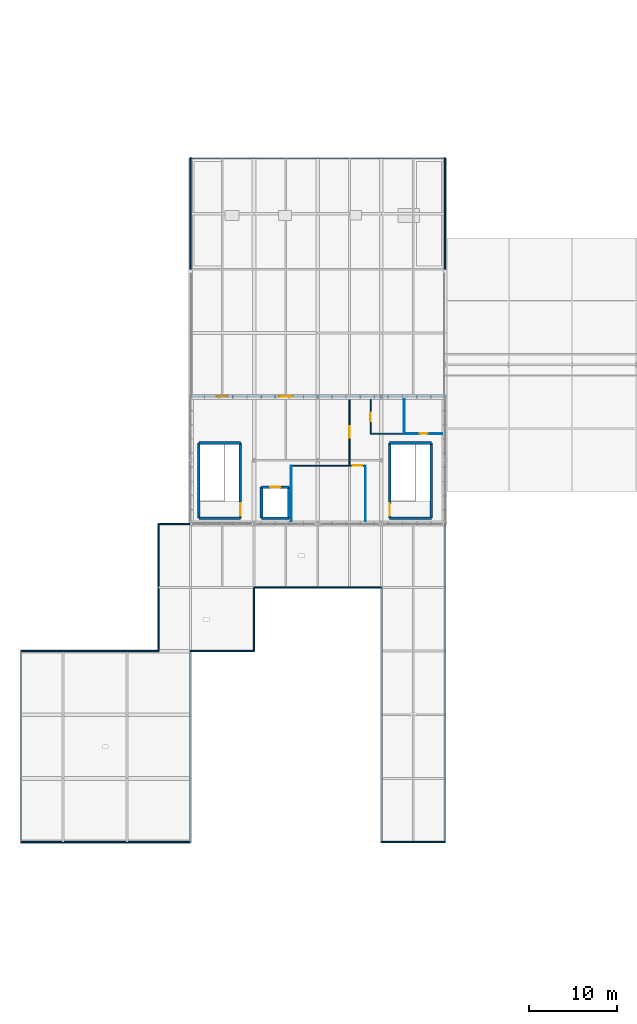
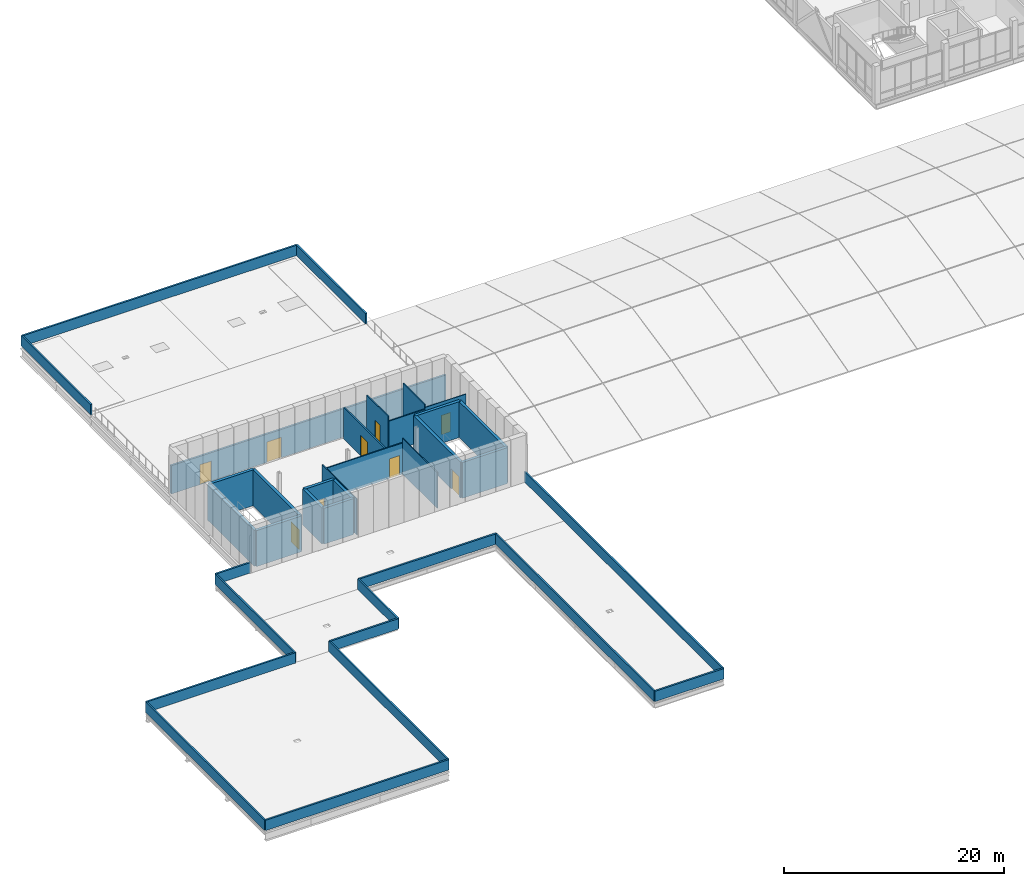
# One storey, part 38 of 47: 36 walls, 9 doors, 9 openings.
"""IFC4 building model written with IfcOpenShell, lengths in metres."""

from ifc_helpers import new_model, si_unit, direction, frame, frame_2d, origin, place, context, subcontext, project, spatial, rectangle, extrude, material, layer, layer_set, type_object, element, fill, save


model = new_model("IFC4")

# Units and contexts
model_context = context("Model", 3, precision=1e-05, world=origin(), true_north=direction((0.0, 1.0)))
body_context = subcontext(model_context, "Body", "Model", "MODEL_VIEW")
ifc_project = project(units=[si_unit("LENGTHUNIT", "METRE"), si_unit("AREAUNIT", "SQUARE_METRE"), si_unit("VOLUMEUNIT", "CUBIC_METRE"), si_unit("PLANEANGLEUNIT", "RADIAN"), si_unit("MASSUNIT", "GRAM", prefix="KILO")], contexts=[model_context])

# Site, building, storey
site_placement = place(None, origin())
site = spatial("IfcSite", under=ifc_project, at=site_placement, CompositionType="ELEMENT")
building_placement = place(site_placement, origin())
building = spatial("IfcBuilding", under=site, at=building_placement, Name="Yarey Park Central Fire Station", CompositionType="ELEMENT")
storey_placement = place(building_placement, frame((0.0, 0.0, 18.0)))
storey = spatial("IfcBuildingStorey", under=building, at=storey_placement, Name="L05", CompositionType="ELEMENT", Elevation=18.0)

# Wall, openings, doors
ifc_material_1 = material(Name="Concrete C35/45", Category="concrete")
ifc_layer_1 = layer(ifc_material_1, 0.205078125)
ifc_layer_set_1 = layer_set([ifc_layer_1], Name="Concrete C35/45")
wall_type_1 = type_object("IfcWallType", Name="ENV_WALL_INS205", PredefinedType="STANDARD", material=ifc_layer_set_1)
wall_1_placement = place(storey_placement, frame((57.60009765625, 72.0, 0.0), z_axis=(0.0, 0.0, 1.0), x_axis=(-1.0, 0.0, 0.0)))
wall_1 = element("IfcWall", 1, at=wall_1_placement, inside=storey, type_object=wall_type_1, Name="EW_L05_V3_N", PredefinedType="STANDARD", context=body_context, shape_type="SweptSolid", body=[
    extrude(rectangle(XDim=28.800048828125, YDim=0.205078125, at=frame_2d((14.39990234375, 0.0))), origin(), (0.0, 0.0, 1.0), 3.138916015625),
])
opening_1_placement = place(wall_1_placement, frame((17.239990234375, 0.0, 0.0)))
opening_1 = element("IfcOpeningElement", 2, at=opening_1_placement, cuts=wall_1, Name="Opening TD-152", PredefinedType="OPENING", context=body_context, shape_type="SweptSolid", body=[
    extrude(rectangle(XDim=1.52001953125, YDim=2.260009765625, at=frame_2d((0.760009765625, 1.1298828125))), frame((0.0, 0.112548828125, 0.0), z_axis=(0.0, -1.0, 0.0), x_axis=(1.0, 0.0, 0.0)), (0.0, 0.0, 1.0), 0.22509765625),
])
opening_2_placement = place(wall_1_placement, frame((24.580078125, 0.0, 0.0)))
opening_2 = element("IfcOpeningElement", 3, at=opening_2_placement, cuts=wall_1, Name="Opening TD-124", PredefinedType="OPENING", context=body_context, shape_type="SweptSolid", body=[
    extrude(rectangle(XDim=1.239990234375, YDim=2.199951171875, at=frame_2d((0.6201171875, 1.10009765625))), frame((0.0, 0.112548828125, 0.0), z_axis=(0.0, -1.0, 0.0), x_axis=(1.0, 0.0, 0.0)), (0.0, 0.0, 1.0), 0.22509765625),
])
ifc_material_2 = material(Name="Anodized Aluminium Frame", Category="aluminium")
door_type_1 = type_object("IfcDoorType", Name="ENV_DOOR_TER1240", OperationType="NOTDEFINED", PredefinedType="DOOR", material=ifc_material_2)
door_1_placement = place(opening_2_placement, origin())
door_1 = element("IfcDoor", 4, at=door_1_placement, inside=storey, type_object=door_type_1, Name="DOOR_L05_ROOFGARDEN_2", OperationType="SINGLE_SWING_LEFT", OverallHeight=2.199951171875, OverallWidth=1.239990234375, PredefinedType="DOOR", context=body_context, shape_type="SweptSolid", body=[
    extrude(rectangle(XDim=1.239990234375, YDim=2.199951171875, at=frame_2d((0.6201171875, 1.10009765625))), frame((0.0, 0.02490234375, 0.0), z_axis=(0.0, -1.0, 0.0), x_axis=(1.0, 0.0, 0.0)), (0.0, 0.0, 1.0), 0.050048828125),
])
fill(opening_2, door_1)
door_type_2 = type_object("IfcDoorType", Name="ENV_DOOR_TER1520", OperationType="NOTDEFINED", PredefinedType="DOOR", material=ifc_material_2)
door_2_placement = place(opening_1_placement, origin())
door_2 = element("IfcDoor", 5, at=door_2_placement, inside=storey, type_object=door_type_2, Name="DOOR_L05_ROOFGARDEN_1", OperationType="SINGLE_SWING_RIGHT", OverallHeight=2.260009765625, OverallWidth=1.52001953125, PredefinedType="DOOR", context=body_context, shape_type="SweptSolid", body=[
    extrude(rectangle(XDim=1.52001953125, YDim=2.260009765625, at=frame_2d((0.760009765625, 1.1298828125))), frame((0.0, 0.02490234375, 0.0), z_axis=(0.0, -1.0, 0.0), x_axis=(1.0, 0.0, 0.0)), (0.0, 0.0, 1.0), 0.050048828125),
])
fill(opening_1, door_2)

# Walls
ifc_layer_2 = layer(ifc_material_1, 0.1650390625)
ifc_layer_set_2 = layer_set([ifc_layer_2], Name="Concrete C35/45")
wall_type_2 = type_object("IfcWallType", Name="ENV_WALL_PAR165", PredefinedType="PARAPET", material=ifc_layer_set_2)
for number, where, z_axis, x_axis, name in (
    (6, (9.60009765625, 43.199951171875, 0.0), (0.0, 0.0, 1.0), (0.0, -1.0, 0.0), "PAR_L05_12"),
    (7, (28.800048828125, 21.60009765625, 0.0), (0.0, 0.0, 1.0), (0.0, 1.0, 0.0), "PAR_L05_14"),
):
    element("IfcWall", number, at=place(storey_placement, frame(where, z_axis=z_axis, x_axis=x_axis)), inside=storey, type_object=wall_type_2, Name=name, PredefinedType="PARAPET", context=body_context, shape_type="SweptSolid", body=[
        extrude(rectangle(XDim=21.599853515625, YDim=0.1650390625, at=frame_2d((10.7998046875, 0.0))), origin(), (0.0, 0.0, 1.0), 1.14990234375),
    ])
wall_2_placement = place(storey_placement, frame((36.0, 50.39990234375, 0.0), z_axis=(0.0, 0.0, 1.0), x_axis=(0.0, -1.0, 0.0)))
element("IfcWall", 8, at=wall_2_placement, inside=storey, type_object=wall_type_2, Name="PAR_L05_16", PredefinedType="PARAPET", context=body_context, shape_type="SweptSolid", body=[
    extrude(rectangle(XDim=7.199951171875, YDim=0.1650390625, at=frame_2d((3.60009765625, 0.0))), origin(), (0.0, 0.0, 1.0), 1.14990234375),
])
wall_3_placement = place(storey_placement, frame((50.39990234375, 50.39990234375, 0.0), z_axis=(0.0, 0.0, 1.0), x_axis=(0.0, -1.0, 0.0)))
element("IfcWall", 9, at=wall_3_placement, inside=storey, type_object=wall_type_2, Name="PAR_L05_18", PredefinedType="PARAPET", context=body_context, shape_type="SweptSolid", body=[
    extrude(rectangle(XDim=28.7998046875, YDim=0.1650390625, at=frame_2d((14.39990234375, 0.0))), origin(), (0.0, 0.0, 1.0), 1.14990234375),
])
wall_4_placement = place(storey_placement, frame((25.199951171875, 57.60009765625, 0.0), z_axis=(0.0, 0.0, 1.0), x_axis=(0.0, -1.0, 0.0)))
element("IfcWall", 10, at=wall_4_placement, inside=storey, type_object=wall_type_2, Name="PAR_L05_20", PredefinedType="PARAPET", context=body_context, shape_type="SweptSolid", body=[
    extrude(rectangle(XDim=14.400146484375, YDim=0.1650390625, at=frame_2d((7.2001953125, 0.0))), origin(), (0.0, 0.0, 1.0), 1.14990234375),
])
wall_5_placement = place(storey_placement, frame((57.60009765625, 21.60009765625, 0.0), z_axis=(0.0, 0.0, 1.0), x_axis=(0.0, 1.0, 0.0)))
element("IfcWall", 11, at=wall_5_placement, inside=storey, type_object=wall_type_2, Name="PAR_L05_22", PredefinedType="PARAPET", context=body_context, shape_type="SweptSolid", body=[
    extrude(rectangle(XDim=36.0, YDim=0.1650390625, at=frame_2d((18.0, 0.0))), origin(), (0.0, 0.0, 1.0), 1.14990234375),
])
wall_6_placement = place(storey_placement, frame((28.800048828125, 86.39990234375, 0.0), z_axis=(0.0, 0.0, 1.0), x_axis=(0.0, 1.0, 0.0)))
element("IfcWall", 12, at=wall_6_placement, inside=storey, type_object=wall_type_2, Name="PAR_L05_24", PredefinedType="PARAPET", context=body_context, shape_type="SweptSolid", body=[
    extrude(rectangle(XDim=12.60009765625, YDim=0.1650390625, at=frame_2d((6.300048828125, 0.0))), origin(), (0.0, 0.0, 1.0), 1.14990234375),
])
ifc_layer_3 = layer(ifc_material_1, 0.18505859375)
ifc_layer_set_3 = layer_set([ifc_layer_3], Name="Concrete C35/45")
wall_type_3 = type_object("IfcWallType", Name="ENV_WALL_PAR185", PredefinedType="PARAPET", material=ifc_layer_set_3)
wall_7_placement = place(storey_placement, frame((9.60009765625, 21.60009765625, 0.0), z_axis=(0.0, 0.0, 1.0), x_axis=(1.0, 0.0, 0.0)))
element("IfcWall", 13, at=wall_7_placement, inside=storey, type_object=wall_type_3, Name="PAR_L05_11", PredefinedType="PARAPET", context=body_context, shape_type="SweptSolid", body=[
    extrude(rectangle(XDim=19.199951171875, YDim=0.18505859375, at=frame_2d((9.60009765625, 0.0))), origin(), (0.0, 0.0, 1.0), 1.14990234375),
])
wall_8_placement = place(storey_placement, frame((25.199951171875, 43.199951171875, 0.0), z_axis=(0.0, 0.0, 1.0), x_axis=(-1.0, 0.0, 0.0)))
element("IfcWall", 14, at=wall_8_placement, inside=storey, type_object=wall_type_3, Name="PAR_L05_13", PredefinedType="PARAPET", context=body_context, shape_type="SweptSolid", body=[
    extrude(rectangle(XDim=15.599853515625, YDim=0.18505859375, at=frame_2d((7.7998046875, 0.0))), origin(), (0.0, 0.0, 1.0), 1.14990234375),
])
wall_9_placement = place(storey_placement, frame((36.0, 43.199951171875, 0.0), z_axis=(0.0, 0.0, 1.0), x_axis=(-1.0, 0.0, 0.0)))
element("IfcWall", 15, at=wall_9_placement, inside=storey, type_object=wall_type_3, Name="PAR_L05_15", PredefinedType="PARAPET", context=body_context, shape_type="SweptSolid", body=[
    extrude(rectangle(XDim=7.199951171875, YDim=0.18505859375, at=frame_2d((3.60009765625, 0.0))), origin(), (0.0, 0.0, 1.0), 1.14990234375),
])
wall_10_placement = place(storey_placement, frame((50.39990234375, 21.60009765625, 0.0), z_axis=(0.0, 0.0, 1.0), x_axis=(1.0, 0.0, 0.0)))
element("IfcWall", 16, at=wall_10_placement, inside=storey, type_object=wall_type_3, Name="PAR_L05_17", PredefinedType="PARAPET", context=body_context, shape_type="SweptSolid", body=[
    extrude(rectangle(XDim=7.2001953125, YDim=0.18505859375, at=frame_2d((3.60009765625, 0.0))), origin(), (0.0, 0.0, 1.0), 1.14990234375),
])
wall_11_placement = place(storey_placement, frame((36.0, 50.39990234375, 0.0), z_axis=(0.0, 0.0, 1.0), x_axis=(1.0, 0.0, 0.0)))
element("IfcWall", 17, at=wall_11_placement, inside=storey, type_object=wall_type_3, Name="PAR_L05_19", PredefinedType="PARAPET", context=body_context, shape_type="SweptSolid", body=[
    extrude(rectangle(XDim=14.39990234375, YDim=0.18505859375, at=frame_2d((7.199951171875, 0.0))), origin(), (0.0, 0.0, 1.0), 1.14990234375),
])
wall_12_placement = place(storey_placement, frame((28.800048828125, 57.60009765625, 0.0), z_axis=(0.0, 0.0, 1.0), x_axis=(-1.0, 0.0, 0.0)))
element("IfcWall", 18, at=wall_12_placement, inside=storey, type_object=wall_type_3, Name="PAR_L05_21", PredefinedType="PARAPET", context=body_context, shape_type="SweptSolid", body=[
    extrude(rectangle(XDim=3.60009765625, YDim=0.18505859375, at=frame_2d((1.800048828125, 0.0))), origin(), (0.0, 0.0, 1.0), 1.14990234375),
])
wall_13_placement = place(storey_placement, frame((28.800048828125, 99.0, 0.0), z_axis=(0.0, 0.0, 1.0), x_axis=(1.0, 0.0, 0.0)))
element("IfcWall", 19, at=wall_13_placement, inside=storey, type_object=wall_type_3, Name="PAR_L05_23", PredefinedType="PARAPET", context=body_context, shape_type="SweptSolid", body=[
    extrude(rectangle(XDim=28.800048828125, YDim=0.18505859375, at=frame_2d((14.39990234375, 0.0))), origin(), (0.0, 0.0, 1.0), 1.14990234375),
])
wall_14_placement = place(storey_placement, frame((57.60009765625, 99.0, 0.0), z_axis=(0.0, 0.0, 1.0), x_axis=(0.0, -1.0, 0.0)))
element("IfcWall", 20, at=wall_14_placement, inside=storey, type_object=wall_type_3, Name="PAR_L05_25", PredefinedType="PARAPET", context=body_context, shape_type="SweptSolid", body=[
    extrude(rectangle(XDim=12.60009765625, YDim=0.18505859375, at=frame_2d((6.300048828125, 0.0))), origin(), (0.0, 0.0, 1.0), 1.14990234375),
])
ifc_material_3 = material(Name="Concrete C40/50", Category="concrete")
ifc_layer_4 = layer(ifc_material_3, 0.27001953125)
ifc_layer_set_4 = layer_set([ifc_layer_4], Name="Concrete C40/50")
wall_type_4 = type_object("IfcWallType", Name="INT_CORE_RC270", PredefinedType="SHEAR", material=ifc_layer_set_4)
wall_15_placement = place(storey_placement, frame((36.85009765625, 58.25, 0.0), z_axis=(0.0, 0.0, 1.0), x_axis=(1.0, 0.0, 0.0)))
element("IfcWall", 21, at=wall_15_placement, inside=storey, type_object=wall_type_4, Name="LWALL_C3_L05_S", PredefinedType="SHEAR", context=body_context, shape_type="SweptSolid", body=[
    extrude(rectangle(XDim=3.099853515625, YDim=0.300048828125, at=frame_2d((1.5498046875, 0.0))), origin(), (0.0, 0.0, 1.0), 3.97509765625),
])

# Wall, opening, door
wall_16_placement = place(storey_placement, frame((39.949951171875, 61.75, 0.0), z_axis=(0.0, 0.0, 1.0), x_axis=(-1.0, 0.0, 0.0)))
wall_16 = element("IfcWall", 22, at=wall_16_placement, inside=storey, type_object=wall_type_4, Name="LWALL_C3_L05_N", PredefinedType="SHEAR", context=body_context, shape_type="SweptSolid", body=[
    extrude(rectangle(XDim=3.099853515625, YDim=0.300048828125, at=frame_2d((1.5498046875, 0.0))), origin(), (0.0, 0.0, 1.0), 3.97509765625),
])
opening_3_placement = place(wall_16_placement, frame((1.0, 0.0, 0.0)))
opening_3 = element("IfcOpeningElement", 23, at=opening_3_placement, cuts=wall_16, Name="Opening LD-11", PredefinedType="OPENING", context=body_context, shape_type="SweptSolid", body=[
    extrude(rectangle(XDim=1.10009765625, YDim=2.219970703125, at=frame_2d((0.550048828125, 1.10986328125))), frame((0.0, 0.159912109375, 0.0), z_axis=(0.0, -1.0, 0.0), x_axis=(1.0, 0.0, 0.0)), (0.0, 0.0, 1.0), 0.320068359375),
])
ifc_material_4 = material(Name="Stainless Steel AISI 316L", Category="steel")
door_type_3 = type_object("IfcDoorType", Name="DR_LD_1100", OperationType="NOTDEFINED", PredefinedType="DOOR", material=ifc_material_4)
door_3_placement = place(opening_3_placement, origin())
door_3 = element("IfcDoor", 24, at=door_3_placement, inside=storey, type_object=door_type_3, Name="Lift Landing Door LF-3-L05", OperationType="SLIDING_TO_LEFT", OverallHeight=2.219970703125, OverallWidth=1.10009765625, PredefinedType="DOOR", context=body_context, shape_type="SweptSolid", body=[
    extrude(rectangle(XDim=1.10009765625, YDim=2.219970703125, at=frame_2d((0.550048828125, 1.10986328125))), frame((0.0, 0.02490234375, 0.0), z_axis=(0.0, -1.0, 0.0), x_axis=(1.0, 0.0, 0.0)), (0.0, 0.0, 1.0), 0.050048828125),
])
fill(opening_3, door_3)

# Walls
for number, where, z_axis, x_axis, name in (
    (25, (36.85009765625, 61.75, 0.0), (0.0, 0.0, 1.0), (0.0, -1.0, 0.0), "LWALL_C3_L05_W"),
    (26, (39.949951171875, 58.25, 0.0), (0.0, 0.0, 1.0), (0.0, 1.0, 0.0), "LWALL_C3_L05_E"),
):
    element("IfcWall", number, at=place(storey_placement, frame(where, z_axis=z_axis, x_axis=x_axis)), inside=storey, type_object=wall_type_4, Name=name, PredefinedType="SHEAR", context=body_context, shape_type="SweptSolid", body=[
        extrude(rectangle(XDim=3.5, YDim=0.300048828125, at=frame_2d((1.75, 0.0))), origin(), (0.0, 0.0, 1.0), 3.97509765625),
    ])
ifc_layer_5 = layer(ifc_material_3, 0.300048828125)
ifc_layer_set_5 = layer_set([ifc_layer_5], Name="Concrete C40/50")
wall_type_5 = type_object("IfcWallType", Name="INT_CORE_RC300", PredefinedType="SHEAR", material=ifc_layer_set_5)
for number, where, z_axis, x_axis, name in (
    (27, (29.75, 58.25, 0.0), (0.0, 0.0, 1.0), (1.0, 0.0, 0.0), "CWALL_C3_L05_S"),
    (28, (34.449951171875, 66.75, 0.0), (0.0, 0.0, 1.0), (-1.0, 0.0, 0.0), "CWALL_C3_L05_N"),
):
    element("IfcWall", number, at=place(storey_placement, frame(where, z_axis=z_axis, x_axis=x_axis)), inside=storey, type_object=wall_type_5, Name=name, PredefinedType="SHEAR", context=body_context, shape_type="SweptSolid", body=[
        extrude(rectangle(XDim=4.699951171875, YDim=0.300048828125, at=frame_2d((2.35009765625, 0.0))), origin(), (0.0, 0.0, 1.0), 3.97509765625),
    ])
wall_17_placement = place(storey_placement, frame((29.75, 66.75, 0.0), z_axis=(0.0, 0.0, 1.0), x_axis=(0.0, -1.0, 0.0)))
element("IfcWall", 29, at=wall_17_placement, inside=storey, type_object=wall_type_5, Name="CWALL_C3_L05_W", PredefinedType="SHEAR", context=body_context, shape_type="SweptSolid", body=[
    extrude(rectangle(XDim=8.5, YDim=0.300048828125, at=frame_2d((4.25, 0.0))), origin(), (0.0, 0.0, 1.0), 3.97509765625),
])

# Wall, opening, door
wall_18_placement = place(storey_placement, frame((34.449951171875, 58.25, 0.0), z_axis=(0.0, 0.0, 1.0), x_axis=(0.0, 1.0, 0.0)))
wall_18 = element("IfcWall", 30, at=wall_18_placement, inside=storey, type_object=wall_type_5, Name="CWALL_C3_L05_E", PredefinedType="SHEAR", context=body_context, shape_type="SweptSolid", body=[
    extrude(rectangle(XDim=8.5, YDim=0.300048828125, at=frame_2d((4.25, 0.0))), origin(), (0.0, 0.0, 1.0), 3.97509765625),
])
opening_4_placement = place(wall_18_placement, frame((0.25, 0.0, 0.0)))
opening_4 = element("IfcOpeningElement", 31, at=opening_4_placement, cuts=wall_18, Name="Opening SD-146", PredefinedType="OPENING", context=body_context, shape_type="SweptSolid", body=[
    extrude(rectangle(XDim=1.4599609375, YDim=2.239990234375, at=frame_2d((0.72998046875, 1.1201171875))), frame((0.0, 0.159912109375, 0.0), z_axis=(0.0, -1.0, 0.0), x_axis=(1.0, 0.0, 0.0)), (0.0, 0.0, 1.0), 0.320068359375),
])
ifc_material_5 = material(Name="Galvanized Hollow Metal Door", Category="metal")
door_type_4 = type_object("IfcDoorType", Name="DR_STAIR_1460", OperationType="NOTDEFINED", PredefinedType="DOOR", material=ifc_material_5)
door_4_placement = place(opening_4_placement, origin())
door_4 = element("IfcDoor", 32, at=door_4_placement, inside=storey, type_object=door_type_4, Name="DOOR_STAIR_C3_L05", OperationType="SINGLE_SWING_LEFT", OverallHeight=2.239990234375, OverallWidth=1.4599609375, PredefinedType="DOOR", context=body_context, shape_type="SweptSolid", body=[
    extrude(rectangle(XDim=1.4599609375, YDim=2.239990234375, at=frame_2d((0.72998046875, 1.1201171875))), frame((0.0, 0.02490234375, 0.0), z_axis=(0.0, -1.0, 0.0), x_axis=(1.0, 0.0, 0.0)), (0.0, 0.0, 1.0), 0.050048828125),
])
fill(opening_4, door_4)

# Walls
for number, where, z_axis, x_axis, name in (
    (33, (51.35009765625, 58.25, 0.0), (0.0, 0.0, 1.0), (1.0, 0.0, 0.0), "CWALL_C4_L05_S"),
    (34, (56.050048828125, 66.75, 0.0), (0.0, 0.0, 1.0), (-1.0, 0.0, 0.0), "CWALL_C4_L05_N"),
):
    element("IfcWall", number, at=place(storey_placement, frame(where, z_axis=z_axis, x_axis=x_axis)), inside=storey, type_object=wall_type_5, Name=name, PredefinedType="SHEAR", context=body_context, shape_type="SweptSolid", body=[
        extrude(rectangle(XDim=4.699951171875, YDim=0.300048828125, at=frame_2d((2.35009765625, 0.0))), origin(), (0.0, 0.0, 1.0), 3.97509765625),
    ])

# Wall, opening, door
wall_19_placement = place(storey_placement, frame((51.35009765625, 66.75, 0.0), z_axis=(0.0, 0.0, 1.0), x_axis=(0.0, -1.0, 0.0)))
wall_19 = element("IfcWall", 35, at=wall_19_placement, inside=storey, type_object=wall_type_5, Name="CWALL_C4_L05_W", PredefinedType="SHEAR", context=body_context, shape_type="SweptSolid", body=[
    extrude(rectangle(XDim=8.5, YDim=0.300048828125, at=frame_2d((4.25, 0.0))), origin(), (0.0, 0.0, 1.0), 3.97509765625),
])
opening_5_placement = place(wall_19_placement, frame((6.830078125, 0.0, 0.0)))
opening_5 = element("IfcOpeningElement", 36, at=opening_5_placement, cuts=wall_19, Name="Opening SD-142", PredefinedType="OPENING", context=body_context, shape_type="SweptSolid", body=[
    extrude(rectangle(XDim=1.419921875, YDim=2.219970703125, at=frame_2d((0.7099609375, 1.10986328125))), frame((0.0, 0.159912109375, 0.0), z_axis=(0.0, -1.0, 0.0), x_axis=(1.0, 0.0, 0.0)), (0.0, 0.0, 1.0), 0.320068359375),
])
door_type_5 = type_object("IfcDoorType", Name="DR_STAIR_1420", OperationType="NOTDEFINED", PredefinedType="DOOR", material=ifc_material_5)
door_5_placement = place(opening_5_placement, origin())
door_5 = element("IfcDoor", 37, at=door_5_placement, inside=storey, type_object=door_type_5, Name="DOOR_STAIR_C4_L05", OperationType="SINGLE_SWING_RIGHT", OverallHeight=2.219970703125, OverallWidth=1.419921875, PredefinedType="DOOR", context=body_context, shape_type="SweptSolid", body=[
    extrude(rectangle(XDim=1.419921875, YDim=2.219970703125, at=frame_2d((0.7099609375, 1.10986328125))), frame((0.0, 0.02490234375, 0.0), z_axis=(0.0, -1.0, 0.0), x_axis=(1.0, 0.0, 0.0)), (0.0, 0.0, 1.0), 0.050048828125),
])
fill(opening_5, door_5)

# Wall
wall_20_placement = place(storey_placement, frame((56.050048828125, 58.25, 0.0), z_axis=(0.0, 0.0, 1.0), x_axis=(0.0, 1.0, 0.0)))
element("IfcWall", 38, at=wall_20_placement, inside=storey, type_object=wall_type_5, Name="CWALL_C4_L05_E", PredefinedType="SHEAR", context=body_context, shape_type="SweptSolid", body=[
    extrude(rectangle(XDim=8.5, YDim=0.300048828125, at=frame_2d((4.25, 0.0))), origin(), (0.0, 0.0, 1.0), 3.97509765625),
])

# Wall, opening, door
ifc_material_6 = material(Name="Gypsum Shaftliner Assembly", Category="gypsum")
ifc_layer_6 = layer(ifc_material_6, 0.14990234375)
ifc_layer_set_6 = layer_set([ifc_layer_6], Name="Gypsum Shaftliner Assembly")
wall_type_6 = type_object("IfcWallType", Name="INT_WALL_AC150", PredefinedType="STANDARD", material=ifc_layer_set_6)
wall_21_placement = place(storey_placement, frame((46.800048828125, 64.199951171875, 0.0), z_axis=(0.0, 0.0, 1.0), x_axis=(0.0, 1.0, 0.0)))
wall_21 = element("IfcWall", 39, at=wall_21_placement, inside=storey, type_object=wall_type_6, Name="PART_SPC_L05_LOUNGE_EAST", PredefinedType="STANDARD", context=body_context, shape_type="SweptSolid", body=[
    extrude(rectangle(XDim=7.5, YDim=0.14990234375, at=frame_2d((3.75, 0.0))), origin(), (0.0, 0.0, 1.0), 3.45703125),
])
opening_6_placement = place(wall_21_placement, frame((3.169921875, 0.0, 0.0)))
opening_6 = element("IfcOpeningElement", 40, at=opening_6_placement, cuts=wall_21, Name="Opening ID-126", PredefinedType="OPENING", context=body_context, shape_type="SweptSolid", body=[
    extrude(rectangle(XDim=1.260009765625, YDim=2.239990234375, at=frame_2d((0.6298828125, 1.1201171875))), frame((0.0, 0.0849609375, 0.0), z_axis=(0.0, -1.0, 0.0), x_axis=(1.0, 0.0, 0.0)), (0.0, 0.0, 1.0), 0.169921875),
])
ifc_material_7 = material(Name="Hardwood Acoustic Leaf", Category="wood")
door_type_6 = type_object("IfcDoorType", Name="DR_INT_1260", OperationType="NOTDEFINED", PredefinedType="DOOR", material=ifc_material_7)
door_6_placement = place(opening_6_placement, origin())
door_6 = element("IfcDoor", 41, at=door_6_placement, inside=storey, type_object=door_type_6, Name="DOOR_SPC_L05_LOUNGE", OperationType="SINGLE_SWING_LEFT", OverallHeight=2.239990234375, OverallWidth=1.260009765625, PredefinedType="DOOR", context=body_context, shape_type="SweptSolid", body=[
    extrude(rectangle(XDim=1.260009765625, YDim=2.239990234375, at=frame_2d((0.6298828125, 1.1201171875))), frame((0.0, 0.02490234375, 0.0), z_axis=(0.0, -1.0, 0.0), x_axis=(1.0, 0.0, 0.0)), (0.0, 0.0, 1.0), 0.050048828125),
])
fill(opening_6, door_6)

# Wall
ifc_material_8 = material(Name="Gypsum Acoustic Partition", Category="gypsum")
ifc_layer_7 = layer(ifc_material_8, 0.0859375)
ifc_layer_set_7 = layer_set([ifc_layer_7], Name="Gypsum Acoustic Partition")
wall_type_7 = type_object("IfcWallType", Name="INT_WALL_PT086", PredefinedType="STANDARD", material=ifc_layer_set_7)
wall_22_placement = place(storey_placement, frame((48.60009765625, 57.89990234375, 0.0), z_axis=(0.0, 0.0, 1.0), x_axis=(0.0, 1.0, 0.0)))
element("IfcWall", 42, at=wall_22_placement, inside=storey, type_object=wall_type_7, Name="PART_SPC_L05_STUDY_EAST", PredefinedType="STANDARD", context=body_context, shape_type="SweptSolid", body=[
    extrude(rectangle(XDim=6.300048828125, YDim=0.0859375, at=frame_2d((3.14990234375, 0.0))), origin(), (0.0, 0.0, 1.0), 3.97509765625),
])

# Wall, opening, door
wall_23_placement = place(storey_placement, frame((53.0, 67.800048828125, 0.0), z_axis=(0.0, 0.0, 1.0), x_axis=(1.0, 0.0, 0.0)))
wall_23 = element("IfcWall", 43, at=wall_23_placement, inside=storey, type_object=wall_type_7, Name="PART_SPC_L05_V3_STORE_SOUTH", PredefinedType="STANDARD", context=body_context, shape_type="SweptSolid", body=[
    extrude(rectangle(XDim=4.300048828125, YDim=0.0859375, at=frame_2d((2.14990234375, 0.0))), origin(), (0.0, 0.0, 1.0), 3.632080078125),
])
opening_7_placement = place(wall_23_placement, frame((1.719970703125, 0.0, 0.0)))
opening_7 = element("IfcOpeningElement", 44, at=opening_7_placement, cuts=wall_23, Name="Opening ID-095", PredefinedType="OPENING", context=body_context, shape_type="SweptSolid", body=[
    extrude(rectangle(XDim=0.9599609375, YDim=2.139892578125, at=frame_2d((0.47998046875, 1.06982421875))), frame((0.0, 0.052978515625, 0.0), z_axis=(0.0, -1.0, 0.0), x_axis=(1.0, 0.0, 0.0)), (0.0, 0.0, 1.0), 0.10595703125),
])
door_type_7 = type_object("IfcDoorType", Name="DR_INT_950", OperationType="NOTDEFINED", PredefinedType="DOOR", material=ifc_material_7)
door_7_placement = place(opening_7_placement, origin())
door_7 = element("IfcDoor", 45, at=door_7_placement, inside=storey, type_object=door_type_7, Name="DOOR_SPC_L05_V3_STORE", OperationType="SINGLE_SWING_LEFT", OverallHeight=2.139892578125, OverallWidth=0.9599609375, PredefinedType="DOOR", context=body_context, shape_type="SweptSolid", body=[
    extrude(rectangle(XDim=0.9599609375, YDim=2.139892578125, at=frame_2d((0.47998046875, 1.06982421875))), frame((0.0, 0.02490234375, 0.0), z_axis=(0.0, -1.0, 0.0), x_axis=(1.0, 0.0, 0.0)), (0.0, 0.0, 1.0), 0.050048828125),
])
fill(opening_7, door_7)

# Walls
ifc_layer_8 = layer(ifc_material_8, 0.10205078125)
ifc_layer_set_8 = layer_set([ifc_layer_8], Name="Gypsum Acoustic Partition")
wall_type_8 = type_object("IfcWallType", Name="INT_WALL_PT102", PredefinedType="STANDARD", material=ifc_layer_set_8)
wall_24_placement = place(storey_placement, frame((40.199951171875, 64.199951171875, 0.0), z_axis=(0.0, 0.0, 1.0), x_axis=(0.0, -1.0, 0.0)))
element("IfcWall", 46, at=wall_24_placement, inside=storey, type_object=wall_type_8, Name="PART_SPC_L05_STUDY_WEST", PredefinedType="STANDARD", context=body_context, shape_type="SweptSolid", body=[
    extrude(rectangle(XDim=6.300048828125, YDim=0.10205078125, at=frame_2d((3.14990234375, 0.0))), origin(), (0.0, 0.0, 1.0), 3.97509765625),
])
wall_25_placement = place(storey_placement, frame((53.0, 67.800048828125, 0.0), z_axis=(0.0, 0.0, 1.0), x_axis=(0.0, 1.0, 0.0)))
element("IfcWall", 47, at=wall_25_placement, inside=storey, type_object=wall_type_8, Name="PART_SPC_L05_V3_WCA_EAST", PredefinedType="STANDARD", context=body_context, shape_type="SweptSolid", body=[
    extrude(rectangle(XDim=3.89990234375, YDim=0.10205078125, at=frame_2d((1.949951171875, 0.0))), origin(), (0.0, 0.0, 1.0), 3.97509765625),
])

# Wall, opening, door
ifc_layer_9 = layer(ifc_material_8, 0.117919921875)
ifc_layer_set_9 = layer_set([ifc_layer_9], Name="Gypsum Acoustic Partition")
wall_type_9 = type_object("IfcWallType", Name="INT_WALL_PT118", PredefinedType="STANDARD", material=ifc_layer_set_9)
wall_26_placement = place(storey_placement, frame((48.60009765625, 64.199951171875, 0.0), z_axis=(0.0, 0.0, 1.0), x_axis=(-1.0, 0.0, 0.0)))
wall_26 = element("IfcWall", 48, at=wall_26_placement, inside=storey, type_object=wall_type_9, Name="PART_SPC_L05_STUDY_NORTH", PredefinedType="STANDARD", context=body_context, shape_type="SweptSolid", body=[
    extrude(rectangle(XDim=8.400146484375, YDim=0.117919921875, at=frame_2d((4.2001953125, 0.0))), origin(), (0.0, 0.0, 1.0), 3.45703125),
])
opening_8_placement = place(wall_26_placement, frame((0.360107421875, 0.0, 0.0)))
opening_8 = element("IfcOpeningElement", 49, at=opening_8_placement, cuts=wall_26, Name="Opening ID-108", PredefinedType="OPENING", context=body_context, shape_type="SweptSolid", body=[
    extrude(rectangle(XDim=1.080078125, YDim=2.179931640625, at=frame_2d((0.5400390625, 1.08984375))), frame((0.0, 0.06884765625, 0.0), z_axis=(0.0, -1.0, 0.0), x_axis=(1.0, 0.0, 0.0)), (0.0, 0.0, 1.0), 0.137939453125),
])
door_type_8 = type_object("IfcDoorType", Name="DR_INT_1080", OperationType="NOTDEFINED", PredefinedType="DOOR", material=ifc_material_7)
door_8_placement = place(opening_8_placement, origin())
door_8 = element("IfcDoor", 50, at=door_8_placement, inside=storey, type_object=door_type_8, Name="DOOR_SPC_L05_STUDY", OperationType="SINGLE_SWING_RIGHT", OverallHeight=2.179931640625, OverallWidth=1.080078125, PredefinedType="DOOR", context=body_context, shape_type="SweptSolid", body=[
    extrude(rectangle(XDim=1.080078125, YDim=2.179931640625, at=frame_2d((0.5400390625, 1.08984375))), frame((0.0, 0.02490234375, 0.0), z_axis=(0.0, -1.0, 0.0), x_axis=(1.0, 0.0, 0.0)), (0.0, 0.0, 1.0), 0.050048828125),
])
fill(opening_8, door_8)

wall_27_placement = place(storey_placement, frame((49.199951171875, 71.699951171875, 0.0), z_axis=(0.0, 0.0, 1.0), x_axis=(0.0, -1.0, 0.0)))
wall_27 = element("IfcWall", 51, at=wall_27_placement, inside=storey, type_object=wall_type_9, Name="PART_SPC_L05_V3_WCA_WEST", PredefinedType="STANDARD", context=body_context, shape_type="SweptSolid", body=[
    extrude(rectangle(XDim=3.89990234375, YDim=0.117919921875, at=frame_2d((1.949951171875, 0.0))), origin(), (0.0, 0.0, 1.0), 3.97509765625),
])
opening_9_placement = place(wall_27_placement, frame((1.530029296875, 0.0, 0.0)))
opening_9 = element("IfcOpeningElement", 52, at=opening_9_placement, cuts=wall_27, Name="Opening WD-095", PredefinedType="OPENING", context=body_context, shape_type="SweptSolid", body=[
    extrude(rectangle(XDim=0.93994140625, YDim=2.1201171875, at=frame_2d((0.469970703125, 1.06005859375))), frame((0.0, 0.06884765625, 0.0), z_axis=(0.0, -1.0, 0.0), x_axis=(1.0, 0.0, 0.0)), (0.0, 0.0, 1.0), 0.137939453125),
])
ifc_material_9 = material(Name="Phenolic Moisture-Resistant Leaf", Category="wood")
door_type_9 = type_object("IfcDoorType", Name="DR_WC_950", OperationType="NOTDEFINED", PredefinedType="DOOR", material=ifc_material_9)
door_9_placement = place(opening_9_placement, origin())
door_9 = element("IfcDoor", 53, at=door_9_placement, inside=storey, type_object=door_type_9, Name="DOOR_SPC_L05_V3_WCA", OperationType="SINGLE_SWING_RIGHT", OverallHeight=2.1201171875, OverallWidth=0.93994140625, PredefinedType="DOOR", context=body_context, shape_type="SweptSolid", body=[
    extrude(rectangle(XDim=0.93994140625, YDim=2.1201171875, at=frame_2d((0.469970703125, 1.06005859375))), frame((0.0, 0.02490234375, 0.0), z_axis=(0.0, -1.0, 0.0), x_axis=(1.0, 0.0, 0.0)), (0.0, 0.0, 1.0), 0.050048828125),
])
fill(opening_9, door_9)

# Wall
ifc_layer_10 = layer(ifc_material_8, 0.134033203125)
ifc_layer_set_10 = layer_set([ifc_layer_10], Name="Gypsum Acoustic Partition")
wall_type_10 = type_object("IfcWallType", Name="INT_WALL_PT134", PredefinedType="STANDARD", material=ifc_layer_set_10)
wall_28_placement = place(storey_placement, frame((49.199951171875, 67.800048828125, 0.0), z_axis=(0.0, 0.0, 1.0), x_axis=(1.0, 0.0, 0.0)))
element("IfcWall", 54, at=wall_28_placement, inside=storey, type_object=wall_type_10, Name="PART_SPC_L05_V3_WCA_SOUTH", PredefinedType="STANDARD", context=body_context, shape_type="SweptSolid", body=[
    extrude(rectangle(XDim=3.800048828125, YDim=0.134033203125, at=frame_2d((1.89990234375, 0.0))), origin(), (0.0, 0.0, 1.0), 3.45703125),
])

save(model, "model.ifc")
